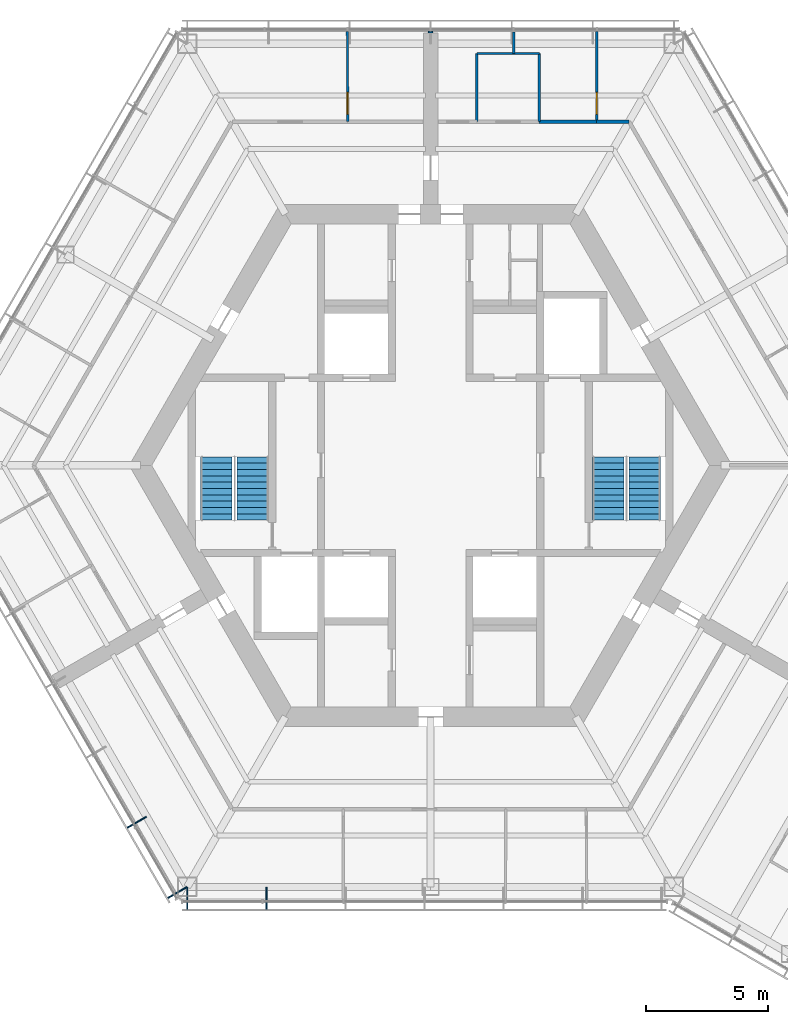
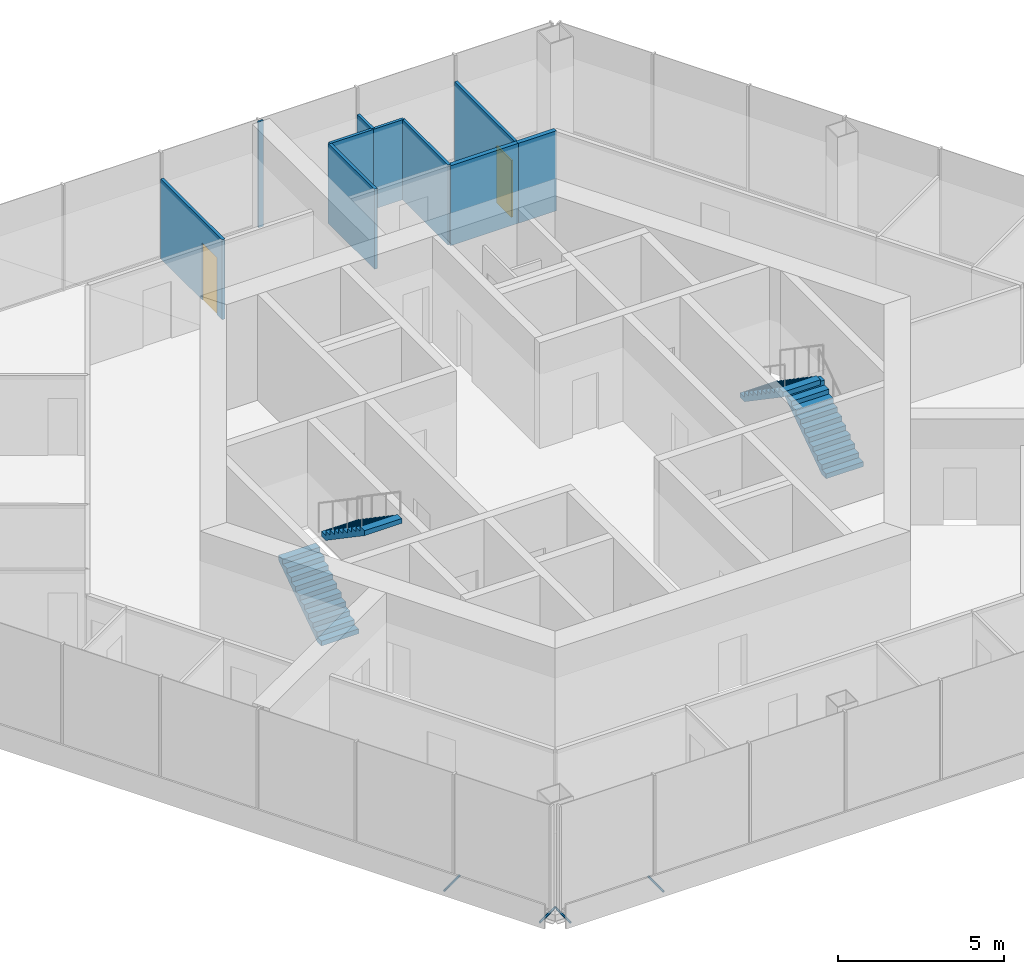
# One storey, part 10 of 13: 10 walls, 4 discrete accessories, 4 stair flights, 2 doors, 2 openings, 2 elements without a shape of their own.
"""IFC4 building model written with IfcOpenShell, lengths in metres."""

from ifc_helpers import new_model, si_unit, direction, frame, frame_2d, origin, origin_2d, place, context, subcontext, project, spatial, polyline, rectangle, hollow_circle, outline, extrude, material, layer, layer_set, material_profile, profile_set, type_object, element, fill, aggregate, save


model = new_model("IFC4")

# Units and contexts
model_context = context("Model", 3, precision=1e-05, world=origin(), true_north=direction((0.0, 1.0)))
body_context = subcontext(model_context, "Body", "Model", "MODEL_VIEW")
ifc_project = project(units=[si_unit("LENGTHUNIT", "METRE"), si_unit("AREAUNIT", "SQUARE_METRE"), si_unit("VOLUMEUNIT", "CUBIC_METRE"), si_unit("PLANEANGLEUNIT", "RADIAN"), si_unit("MASSUNIT", "GRAM", prefix="KILO")], contexts=[model_context])

# Site, building, storey
site_placement = place(None, origin())
site = spatial("IfcSite", under=ifc_project, at=site_placement, CompositionType="ELEMENT")
building_placement = place(site_placement, origin())
building = spatial("IfcBuilding", under=site, at=building_placement, Name="Kasaneha Research Tower", CompositionType="ELEMENT")
storey_placement = place(building_placement, frame((0.0, 0.0, 290.800048828125)))
storey = spatial("IfcBuildingStorey", under=building, at=storey_placement, Name="L73", CompositionType="ELEMENT", Elevation=290.800048828125)

# Walls
ifc_material_1 = material(Name="Gypsum board on steel studs, one layer each side", Category="steel")
ifc_layer_1 = layer(ifc_material_1, 0.10009765625)
ifc_layer_set_1 = layer_set([ifc_layer_1], Name="Office partition 100")
wall_type_1 = type_object("IfcWallType", Name="Office partition 100", PredefinedType="PARTITIONING", material=ifc_layer_set_1)
wall_1_placement = place(storey_placement, frame((3.410400390625, 16.925048828125, 0.0), z_axis=(0.0, 0.0, 1.0), x_axis=(1.0, 0.0, 0.0)))
element("IfcWall", 1, at=wall_1_placement, inside=storey, type_object=wall_type_1, Name="Office partition FAE08 L73", PredefinedType="PARTITIONING", context=body_context, shape_type="SweptSolid", body=[
    extrude(rectangle(XDim=1.0546875, YDim=0.10009765625, at=frame_2d((0.52734375, 0.0))), origin(), (0.0, 0.0, 1.0), 2.949951171875),
])
wall_2_placement = place(storey_placement, frame((4.465087890625, 16.925048828125, 0.0), z_axis=(0.0, 0.0, 1.0), x_axis=(-0.001831019688, -0.999998323682, 0.0)))
element("IfcWall", 2, at=wall_2_placement, inside=storey, type_object=wall_type_1, Name="Office partition FAE09 L73", PredefinedType="PARTITIONING", context=body_context, shape_type="SweptSolid", body=[
    extrude(rectangle(XDim=2.800048828125, YDim=0.10009765625, at=frame_2d((1.39990234375, 0.0))), origin(), (0.0, 0.0, 1.0), 2.949951171875),
])
wall_3_placement = place(storey_placement, frame((1.89990234375, 16.925048828125, 0.0), z_axis=(0.0, 0.0, 1.0), x_axis=(1.0, 0.0, 0.0)))
element("IfcWall", 3, at=wall_3_placement, inside=storey, type_object=wall_type_1, Name="Office partition FAE10 L73", PredefinedType="PARTITIONING", context=body_context, shape_type="SweptSolid", body=[
    extrude(rectangle(XDim=1.5205078125, YDim=0.10009765625, at=frame_2d((0.76025390625, 0.0))), origin(), (0.0, 0.0, 1.0), 2.949951171875),
])
wall_4_placement = place(storey_placement, frame((1.905029296875, 14.125, 0.0), z_axis=(0.0, 0.0, 1.0), x_axis=(-0.001831019688, 0.999998323682, 0.0)))
element("IfcWall", 4, at=wall_4_placement, inside=storey, type_object=wall_type_1, Name="Office partition FAE11 L73", PredefinedType="PARTITIONING", context=body_context, shape_type="SweptSolid", body=[
    extrude(rectangle(XDim=2.800048828125, YDim=0.10009765625, at=frame_2d((1.39990234375, 0.0))), origin(), (0.0, 0.0, 1.0), 2.949951171875),
])
wall_5_placement = place(storey_placement, frame((3.42041015625, 16.925048828125, 0.0), z_axis=(0.0, 0.0, 1.0), x_axis=(-0.005577158101, 0.999984447533, 0.0)))
element("IfcWall", 5, at=wall_5_placement, inside=storey, type_object=wall_type_1, Name="Office partition FAE14 L73", PredefinedType="PARTITIONING", context=body_context, shape_type="SweptSolid", body=[
    extrude(rectangle(XDim=0.87548828125, YDim=0.10009765625, at=frame_2d((0.437744140625, 0.0))), origin(), (0.0, 0.0, 1.0), 2.949951171875),
])

# Wall, opening, door
wall_6_placement = place(storey_placement, frame((6.8310546875, 17.83544921875, 0.0), z_axis=(0.0, 0.0, 1.0), x_axis=(-0.001250163518, -0.999999218545, 0.0)))
wall_6 = element("IfcWall", 6, at=wall_6_placement, inside=storey, type_object=wall_type_1, Name="Office partition FAE15 L73", PredefinedType="PARTITIONING", context=body_context, shape_type="SweptSolid", body=[
    extrude(rectangle(XDim=3.71044921875, YDim=0.10009765625, at=frame_2d((1.855224609375, 0.0))), origin(), (0.0, 0.0, 1.0), 2.949951171875),
])
opening_1_placement = place(wall_6_placement, frame((2.510498046875, 0.0, 0.0)))
opening_1 = element("IfcOpeningElement", 7, at=opening_1_placement, cuts=wall_6, Name="Opening L73-D28", PredefinedType="OPENING", context=body_context, shape_type="SweptSolid", body=[
    extrude(rectangle(XDim=0.89990234375, YDim=2.10009765625, at=frame_2d((0.449951171875, 1.050048828125))), frame((0.0, 0.06005859375, 0.0), z_axis=(0.0, -1.0, 0.0), x_axis=(1.0, 0.0, 0.0)), (0.0, 0.0, 1.0), 0.1201171875),
])
ifc_material_2 = material(Name="Timber veneer", Category="wood")
door_type = type_object("IfcDoorType", Name="Office door 900x2100", OperationType="SINGLE_SWING_LEFT", PredefinedType="DOOR", material=ifc_material_2)
door_1_placement = place(opening_1_placement, origin())
door_1 = element("IfcDoor", 8, at=door_1_placement, inside=storey, type_object=door_type, Name="Executive office door L73-D28", OperationType="SINGLE_SWING_RIGHT", OverallHeight=2.10009765625, OverallWidth=0.89990234375, PredefinedType="DOOR", context=body_context, shape_type="SweptSolid", body=[
    extrude(rectangle(XDim=0.89990234375, YDim=2.10009765625, at=frame_2d((0.449951171875, 1.050048828125))), frame((0.0, 0.02490234375, 0.0), z_axis=(0.0, -1.0, 0.0), x_axis=(1.0, 0.0, 0.0)), (0.0, 0.0, 1.0), 0.050048828125),
])
fill(opening_1, door_1)

wall_7_placement = place(storey_placement, frame((-3.410888671875, 14.125, 0.0), z_axis=(0.0, 0.0, 1.0), x_axis=(-0.001250163518, 0.999999218545, 0.0)))
wall_7 = element("IfcWall", 9, at=wall_7_placement, inside=storey, type_object=wall_type_1, Name="Office partition FAW03 L73", PredefinedType="PARTITIONING", context=body_context, shape_type="SweptSolid", body=[
    extrude(rectangle(XDim=3.71044921875, YDim=0.10009765625, at=frame_2d((1.855224609375, 0.0))), origin(), (0.0, 0.0, 1.0), 2.949951171875),
])
opening_2_placement = place(wall_7_placement, frame((0.300048828125, 0.0, 0.0)))
opening_2 = element("IfcOpeningElement", 10, at=opening_2_placement, cuts=wall_7, Name="Opening L73-D30", PredefinedType="OPENING", context=body_context, shape_type="SweptSolid", body=[
    extrude(rectangle(XDim=0.89990234375, YDim=2.10009765625, at=frame_2d((0.449951171875, 1.050048828125))), frame((0.0, 0.06005859375, 0.0), z_axis=(0.0, -1.0, 0.0), x_axis=(1.0, 0.0, 0.0)), (0.0, 0.0, 1.0), 0.1201171875),
])
door_2_placement = place(opening_2_placement, origin())
door_2 = element("IfcDoor", 11, at=door_2_placement, inside=storey, type_object=door_type, Name="Executive office door L73-D30", OperationType="SINGLE_SWING_LEFT", OverallHeight=2.10009765625, OverallWidth=0.89990234375, PredefinedType="DOOR", context=body_context, shape_type="SweptSolid", body=[
    extrude(rectangle(XDim=0.89990234375, YDim=2.10009765625, at=frame_2d((0.449951171875, 1.050048828125))), frame((0.0, 0.02490234375, 0.0), z_axis=(0.0, -1.0, 0.0), x_axis=(1.0, 0.0, 0.0)), (0.0, 0.0, 1.0), 0.050048828125),
])
fill(opening_2, door_2)

# Walls
ifc_material_3 = material(Name="Gypsum board on steel studs, two layers each side", Category="steel")
ifc_layer_2 = layer(ifc_material_3, 0.14990234375)
ifc_layer_set_2 = layer_set([ifc_layer_2], Name="Suite partition 150")
wall_type_2 = type_object("IfcWallType", Name="Suite partition 150", PredefinedType="PARTITIONING", material=ifc_layer_set_2)
wall_8_placement = place(storey_placement, frame((4.4599609375, 14.125, 0.0), z_axis=(0.0, 0.0, 1.0), x_axis=(1.0, 0.0, 0.0)))
element("IfcWall", 12, at=wall_8_placement, inside=storey, type_object=wall_type_2, Name="Suite partition FAE03 L73", PredefinedType="PARTITIONING", context=body_context, shape_type="SweptSolid", body=[
    extrude(rectangle(XDim=2.3759765625, YDim=0.14990234375, at=frame_2d((1.18798828125, 0.0))), origin(), (0.0, 0.0, 1.0), 2.949951171875),
])
wall_9_placement = place(storey_placement, frame((6.826416015625, 14.125, 0.0), z_axis=(0.0, 0.0, 1.0), x_axis=(1.0, 0.0, 0.0)))
element("IfcWall", 13, at=wall_9_placement, inside=storey, type_object=wall_type_2, Name="Suite partition FAE06 L73", PredefinedType="PARTITIONING", context=body_context, shape_type="SweptSolid", body=[
    extrude(rectangle(XDim=1.32861328125, YDim=0.14990234375, at=frame_2d((0.664306640625, 0.0))), origin(), (0.0, 0.0, 1.0), 2.949951171875),
])
ifc_material_4 = material(Name="Gypsum board on steel studs, two layers each side", Category="steel")
ifc_layer_3 = layer(ifc_material_4, 0.175048828125)
ifc_layer_set_3 = layer_set([ifc_layer_3], Name="Tenancy fire partition 175")
wall_type_3 = type_object("IfcWallType", Name="Tenancy fire partition 175", PredefinedType="PARTITIONING", material=ifc_layer_set_3)
wall_10_placement = place(storey_placement, frame((0.0, 17.7705078125, 0.0), z_axis=(0.0, 0.0, 1.0), x_axis=(0.0, 1.0, 0.0)))
element("IfcWall", 14, at=wall_10_placement, inside=storey, type_object=wall_type_3, Name="Spine wall closer SW4-600 L73", PredefinedType="PARTITIONING", context=body_context, shape_type="SweptSolid", body=[
    extrude(rectangle(XDim=0.06494140625, YDim=0.175048828125, at=frame_2d((0.032470703125, 0.0))), origin(), (0.0, 0.0, 1.0), 3.89990234375),
])

# Stair, stair flights
ifc_material_5 = material(Name="Concrete Fc24", Category="concrete")
stair_type = type_object("IfcStairType", Name="Half-turn stair 22 risers", PredefinedType="HALF_TURN_STAIR", material=ifc_material_5)
stair_1_placement = place(storey_placement, origin())
stair_1 = element("IfcStair", 15, at=stair_1_placement, inside=storey, type_object=stair_type, Name="Stair 1 L73", PredefinedType="HALF_TURN_STAIR")
ifc_material_6 = material(Name="Concrete Fc24", Category="concrete")
stair_flight_type = type_object("IfcStairFlightType", Name="Stair flight 11 risers 177.3", PredefinedType="STRAIGHT", material=ifc_material_6)
stair_flight_1_placement = place(storey_placement, frame((8.800048828125, -2.25, 0.0), z_axis=(0.0, 0.0, 1.0), x_axis=(0.0, 1.0, 0.0)))
stair_flight_1 = element("IfcStairFlight", 16, at=stair_flight_1_placement, type_object=stair_flight_type, Name="ST1-22R flight 1", NumberOfRisers=11, NumberOfTreads=10, PredefinedType="STRAIGHT", RiserHeight=0.177272727, TreadLength=0.26, context=body_context, shape_type="SweptSolid", body=[
    extrude(outline(polyline([(0.0, 0.0), (0.0, 0.17724609375), (0.260009765625, 0.17724609375), (0.260009765625, 0.3544921875), (0.52001953125, 0.3544921875), (0.52001953125, 0.53173828125), (0.780029296875, 0.53173828125), (0.780029296875, 0.708984375), (1.0400390625, 0.708984375), (1.0400390625, 0.886474609375), (1.300048828125, 0.886474609375), (1.300048828125, 1.063720703125), (1.56005859375, 1.063720703125), (1.56005859375, 1.240966796875), (1.820068359375, 1.240966796875), (1.820068359375, 1.418212890625), (2.080078125, 1.418212890625), (2.080078125, 1.595458984375), (2.340087890625, 1.595458984375), (2.340087890625, 1.772705078125), (2.60009765625, 1.772705078125), (2.60009765625, 1.949951171875), (2.60009765625, 1.59130859375), (0.26611328125, 0.0), (0.0, 0.0)])), frame((0.0, 0.64990234375, 0.0), z_axis=(0.0, -1.0, 0.0), x_axis=(1.0, 0.0, 0.0)), (0.0, 0.0, 1.0), 1.300048828125),
])
stair_flight_2_placement = place(storey_placement, frame((7.300048828125, 0.35009765625, 1.949951171875), z_axis=(0.0, 0.0, 1.0), x_axis=(0.0, -1.0, 0.0)))
stair_flight_2 = element("IfcStairFlight", 17, at=stair_flight_2_placement, type_object=stair_flight_type, Name="ST1-22R flight 2", NumberOfRisers=11, NumberOfTreads=10, PredefinedType="STRAIGHT", RiserHeight=0.177272727, TreadLength=0.26, context=body_context, shape_type="SweptSolid", body=[
    extrude(outline(polyline([(0.0, 0.0), (0.0, 0.17724609375), (0.260009765625, 0.17724609375), (0.260009765625, 0.3544921875), (0.52001953125, 0.3544921875), (0.52001953125, 0.53173828125), (0.780029296875, 0.53173828125), (0.780029296875, 0.708984375), (1.0400390625, 0.708984375), (1.0400390625, 0.886474609375), (1.300048828125, 0.886474609375), (1.300048828125, 1.063720703125), (1.56005859375, 1.063720703125), (1.56005859375, 1.240966796875), (1.820068359375, 1.240966796875), (1.820068359375, 1.418212890625), (2.080078125, 1.418212890625), (2.080078125, 1.595458984375), (2.340087890625, 1.595458984375), (2.340087890625, 1.772705078125), (2.60009765625, 1.772705078125), (2.60009765625, 1.949951171875), (2.60009765625, 1.59130859375), (0.26611328125, 0.0), (0.0, 0.0)])), frame((0.0, 0.64990234375, 0.0), z_axis=(0.0, -1.0, 0.0), x_axis=(1.0, 0.0, 0.0)), (0.0, 0.0, 1.0), 1.300048828125),
])
aggregate(stair_1, [stair_flight_1, stair_flight_2])

stair_2_placement = place(storey_placement, origin())
stair_2 = element("IfcStair", 18, at=stair_2_placement, inside=storey, type_object=stair_type, Name="Stair 2 L73", PredefinedType="HALF_TURN_STAIR")
stair_flight_3_placement = place(storey_placement, frame((-8.800048828125, -2.25, 0.0), z_axis=(0.0, 0.0, 1.0), x_axis=(0.0, 1.0, 0.0)))
stair_flight_3 = element("IfcStairFlight", 19, at=stair_flight_3_placement, type_object=stair_flight_type, Name="ST2-22R flight 1", NumberOfRisers=11, NumberOfTreads=10, PredefinedType="STRAIGHT", RiserHeight=0.177272727, TreadLength=0.26, context=body_context, shape_type="SweptSolid", body=[
    extrude(outline(polyline([(0.0, 0.0), (0.0, 0.17724609375), (0.260009765625, 0.17724609375), (0.260009765625, 0.3544921875), (0.52001953125, 0.3544921875), (0.52001953125, 0.53173828125), (0.780029296875, 0.53173828125), (0.780029296875, 0.708984375), (1.0400390625, 0.708984375), (1.0400390625, 0.886474609375), (1.300048828125, 0.886474609375), (1.300048828125, 1.063720703125), (1.56005859375, 1.063720703125), (1.56005859375, 1.240966796875), (1.820068359375, 1.240966796875), (1.820068359375, 1.418212890625), (2.080078125, 1.418212890625), (2.080078125, 1.595458984375), (2.340087890625, 1.595458984375), (2.340087890625, 1.772705078125), (2.60009765625, 1.772705078125), (2.60009765625, 1.949951171875), (2.60009765625, 1.59130859375), (0.26611328125, 0.0), (0.0, 0.0)])), frame((0.0, 0.64990234375, 0.0), z_axis=(0.0, -1.0, 0.0), x_axis=(1.0, 0.0, 0.0)), (0.0, 0.0, 1.0), 1.300048828125),
])
stair_flight_4_placement = place(storey_placement, frame((-7.300048828125, 0.35009765625, 1.949951171875), z_axis=(0.0, 0.0, 1.0), x_axis=(0.0, -1.0, 0.0)))
stair_flight_4 = element("IfcStairFlight", 20, at=stair_flight_4_placement, type_object=stair_flight_type, Name="ST2-22R flight 2", NumberOfRisers=11, NumberOfTreads=10, PredefinedType="STRAIGHT", RiserHeight=0.177272727, TreadLength=0.26, context=body_context, shape_type="SweptSolid", body=[
    extrude(outline(polyline([(0.0, 0.0), (0.0, 0.17724609375), (0.260009765625, 0.17724609375), (0.260009765625, 0.3544921875), (0.52001953125, 0.3544921875), (0.52001953125, 0.53173828125), (0.780029296875, 0.53173828125), (0.780029296875, 0.708984375), (1.0400390625, 0.708984375), (1.0400390625, 0.886474609375), (1.300048828125, 0.886474609375), (1.300048828125, 1.063720703125), (1.56005859375, 1.063720703125), (1.56005859375, 1.240966796875), (1.820068359375, 1.240966796875), (1.820068359375, 1.418212890625), (2.080078125, 1.418212890625), (2.080078125, 1.595458984375), (2.340087890625, 1.595458984375), (2.340087890625, 1.772705078125), (2.60009765625, 1.772705078125), (2.60009765625, 1.949951171875), (2.60009765625, 1.59130859375), (0.26611328125, 0.0), (0.0, 0.0)])), frame((0.0, 0.64990234375, 0.0), z_axis=(0.0, -1.0, 0.0), x_axis=(1.0, 0.0, 0.0)), (0.0, 0.0, 1.0), 1.300048828125),
])
aggregate(stair_2, [stair_flight_3, stair_flight_4])

# Discrete accessories
ifc_material_7 = material(Name="Steel STK400", Category="steel")
ifc_material_profile = material_profile(ifc_material_7, hollow_circle(Radius=0.0380859375, WallThickness=0.00390625, at=origin_2d()), Name="CHS-76.3x4.0")
ifc_profile_set = profile_set([ifc_material_profile], Name="Steel STK400")
discrete_accessory_type = type_object("IfcDiscreteAccessoryType", Name="Screen bracket CHS-76.3x4.0", PredefinedType="BRACKET", material=ifc_profile_set)
discrete_accessory_1_placement = place(storey_placement, frame((-11.66796875, -14.431640625, -0.300048828125), z_axis=(-0.866013213425, -0.500021113727, 0.0), x_axis=(0.500021113727, -0.866013213425, 0.0)))
element("IfcDiscreteAccessory", 21, at=discrete_accessory_1_placement, inside=storey, type_object=discrete_accessory_type, Name="Screen bracket 6", PredefinedType="BRACKET", context=body_context, shape_type="SweptSolid", body=[
    extrude(hollow_circle(Radius=0.0380859375, WallThickness=0.00390625, at=origin_2d()), origin(), (0.0, 0.0, 1.0), 0.919921875),
])
discrete_accessory_2_placement = place(storey_placement, frame((-10.001708984375, -17.3173828125, -0.300048828125), z_axis=(-0.866079547155, -0.499906209203, 0.0), x_axis=(0.499906209203, -0.866079547155, 0.0)))
element("IfcDiscreteAccessory", 22, at=discrete_accessory_2_placement, inside=storey, type_object=discrete_accessory_type, Name="Screen bracket 7", PredefinedType="BRACKET", context=body_context, shape_type="SweptSolid", body=[
    extrude(hollow_circle(Radius=0.0380859375, WallThickness=0.00390625, at=origin_2d()), origin(), (0.0, 0.0, 1.0), 0.920166015625),
])
for number, where, z_axis, x_axis, name in (
    (23, (-9.996337890625, -17.320556640625, -0.300048828125), (0.0, -1.0, 0.0), (1.0, 0.0, 0.0), "Screen bracket 1"),
    (24, (-6.748779296875, -17.320556640625, -0.300048828125), (0.0, -1.0, 0.0), (1.0, 0.0, 0.0), "Screen bracket 2"),
):
    element("IfcDiscreteAccessory", number, at=place(storey_placement, frame(where, z_axis=z_axis, x_axis=x_axis)), inside=storey, type_object=discrete_accessory_type, Name=name, PredefinedType="BRACKET", context=body_context, shape_type="SweptSolid", body=[
        extrude(hollow_circle(Radius=0.0380859375, WallThickness=0.00390625, at=origin_2d()), origin(), (0.0, 0.0, 1.0), 0.919921875),
    ])

save(model, "model.ifc")
